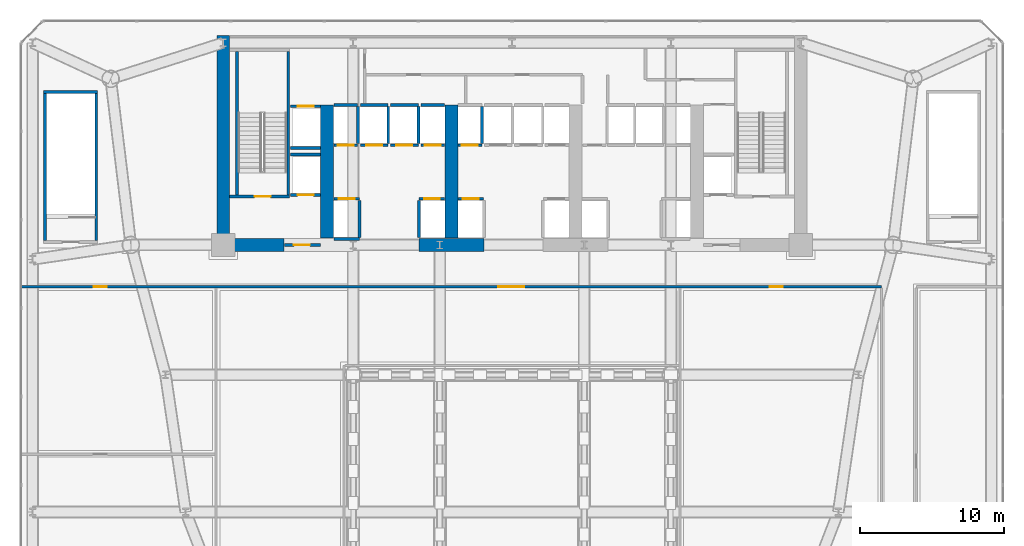
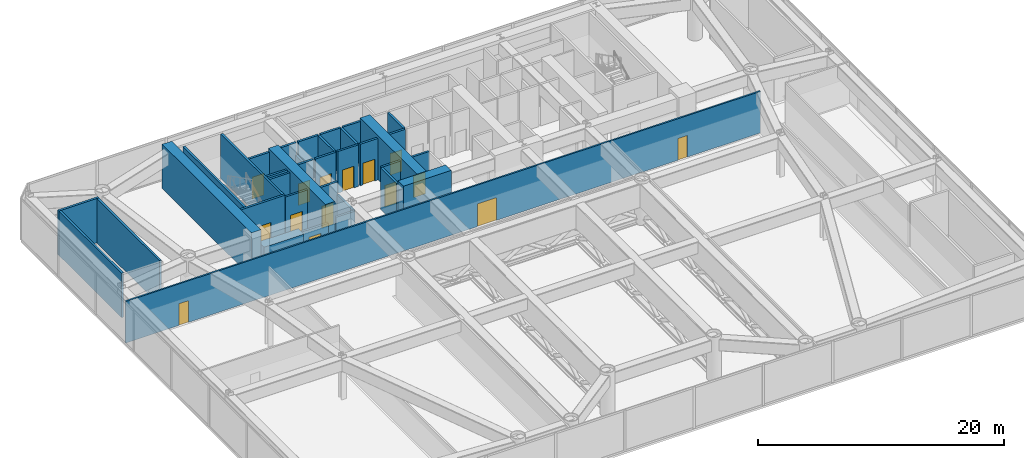
# One storey, part 15 of 21: 36 walls, 15 doors, 15 openings.
"""IFC4 building model written with IfcOpenShell, lengths in metres."""

from ifc_helpers import new_model, si_unit, direction, frame, frame_2d, origin, place, context, subcontext, project, spatial, rectangle, extrude, source, transform, mapped, material, layer, layer_set, type_object, element, fill, save


model = new_model("IFC4")

# Units and contexts
model_context = context("Model", 3, precision=1e-05, world=origin(), true_north=direction((0.0, 1.0)))
body_context = subcontext(model_context, "Body", "Model", "MODEL_VIEW")
ifc_project = project(units=[si_unit("LENGTHUNIT", "METRE"), si_unit("AREAUNIT", "SQUARE_METRE"), si_unit("VOLUMEUNIT", "CUBIC_METRE"), si_unit("PLANEANGLEUNIT", "RADIAN"), si_unit("MASSUNIT", "GRAM", prefix="KILO")], contexts=[model_context])

# Site, building, storey
site_placement = place(None, origin())
site = spatial("IfcSite", under=ifc_project, at=site_placement, CompositionType="ELEMENT")
building_placement = place(site_placement, origin())
building = spatial("IfcBuilding", under=site, at=building_placement, Name="Vaeldorn Concourse Tower", CompositionType="ELEMENT")
storey_placement = place(building_placement, frame((0.0, 0.0, 14.39990234375)))
storey = spatial("IfcBuildingStorey", under=building, at=storey_placement, Name="L03", CompositionType="ELEMENT", Elevation=14.39990234375)

# Walls
ifc_material_1 = material(Name="Concrete C60/75", Category="concrete")
ifc_layer_1 = layer(ifc_material_1, 0.89990234375)
ifc_layer_set_1 = layer_set([ifc_layer_1], Name="Concrete C60/75")
wall_type_1 = type_object("IfcWallType", Name="WL-CORE-900", PredefinedType="SHEAR", material=ifc_layer_set_1)
wall_1_placement = place(storey_placement, frame((14.0, 36.5, 0.0), z_axis=(0.0, 0.0, 1.0), x_axis=(0.0, 1.0, 0.0)))
element("IfcWall", 1, at=wall_1_placement, inside=storey, type_object=wall_type_1, Name="Rear Core Shear Wall L03 W1", PredefinedType="SHEAR", context=body_context, shape_type="SweptSolid", body=[
    extrude(rectangle(XDim=14.5, YDim=0.89990234375, at=frame_2d((7.25, 0.0))), origin(), (0.0, 0.0, 1.0), 4.400146484375),
])
wall_2_placement = place(storey_placement, frame((14.469970703125, 36.5, 0.0), z_axis=(0.0, 0.0, 1.0), x_axis=(1.0, 0.0, 0.0)))
element("IfcWall", 2, at=wall_2_placement, inside=storey, type_object=wall_type_1, Name="Rear Core Shear Wall L03 S1", PredefinedType="SHEAR", context=body_context, shape_type="SweptSolid", body=[
    extrude(rectangle(XDim=3.72998046875, YDim=0.89990234375, at=frame_2d((1.864990234375, 0.0))), origin(), (0.0, 0.0, 1.0), 2.920166015625),
])
wall_3_placement = place(storey_placement, frame((27.550048828125, 36.5, 0.0), z_axis=(0.0, 0.0, 1.0), x_axis=(1.0, 0.0, 0.0)))
element("IfcWall", 3, at=wall_3_placement, inside=storey, type_object=wall_type_1, Name="Rear Core Shear Wall L03 S2", PredefinedType="SHEAR", context=body_context, shape_type="SweptSolid", body=[
    extrude(rectangle(XDim=4.5, YDim=0.89990234375, at=frame_2d((2.25, 0.0))), origin(), (0.0, 0.0, 1.0), 4.400146484375),
])
for number, where, z_axis, x_axis, name in (
    (4, (21.199951171875, 36.969970703125, 0.0), (0.0, 0.0, 1.0), (0.0, 1.0, 0.0), "Rear Core Shear Wall L03 M1"),
    (5, (29.800048828125, 36.969970703125, 0.0), (0.0, 0.0, 1.0), (0.0, 1.0, 0.0), "Rear Core Shear Wall L03 M2"),
):
    element("IfcWall", number, at=place(storey_placement, frame(where, z_axis=z_axis, x_axis=x_axis)), inside=storey, type_object=wall_type_1, Name=name, PredefinedType="SHEAR", context=body_context, shape_type="SweptSolid", body=[
        extrude(rectangle(XDim=9.22998046875, YDim=0.89990234375, at=frame_2d((4.614990234375, 0.0))), origin(), (0.0, 0.0, 1.0), 4.400146484375),
    ])

# Wall, openings, doors
ifc_material_2 = material(Name="Gypsum Board Partition", Category="gypsum")
ifc_layer_2 = layer(ifc_material_2, 0.14990234375)
ifc_layer_set_2 = layer_set([ifc_layer_2], Name="Gypsum Board Partition")
wall_type_2 = type_object("IfcWallType", Name="WL-PART-150", PredefinedType="PARTITIONING", material=ifc_layer_set_2)
wall_4_placement = place(storey_placement, frame((0.0400390625, 33.60009765625, 0.0), z_axis=(0.0, 0.0, 1.0), x_axis=(1.0, 0.0, 0.0)))
wall_4 = element("IfcWall", 6, at=wall_4_placement, inside=storey, type_object=wall_type_2, Name="Interior Wall PW-L03-COR", PredefinedType="PARTITIONING", context=body_context, shape_type="SweptSolid", body=[
    extrude(rectangle(XDim=59.56005859375, YDim=0.14990234375, at=frame_2d((29.780029296875, 0.0))), origin(), (0.0, 0.0, 1.0), 4.1201171875),
])
opening_1_placement = place(wall_4_placement, frame((5.0, 0.0, 0.0)))
opening_1 = element("IfcOpeningElement", 7, at=opening_1_placement, cuts=wall_4, Name="Opening D-03", PredefinedType="OPENING", context=body_context, shape_type="SweptSolid", body=[
    extrude(rectangle(XDim=0.89990234375, YDim=2.14990234375, at=frame_2d((0.449951171875, 1.074951171875))), frame((0.0, 0.0849609375, 0.0), z_axis=(0.0, -1.0, 0.0), x_axis=(1.0, 0.0, 0.0)), (0.0, 0.0, 1.0), 0.169921875),
])
opening_2_placement = place(wall_4_placement, frame((33.0, 0.0, 0.0)))
opening_2 = element("IfcOpeningElement", 8, at=opening_2_placement, cuts=wall_4, Name="Opening D-05", PredefinedType="OPENING", context=body_context, shape_type="SweptSolid", body=[
    extrude(rectangle(XDim=1.800048828125, YDim=2.25, at=frame_2d((0.89990234375, 1.125))), frame((0.0, 0.0849609375, 0.0), z_axis=(0.0, -1.0, 0.0), x_axis=(1.0, 0.0, 0.0)), (0.0, 0.0, 1.0), 0.169921875),
])
opening_3_placement = place(wall_4_placement, frame((51.800048828125, 0.0, 0.0)))
opening_3 = element("IfcOpeningElement", 9, at=opening_3_placement, cuts=wall_4, Name="Opening D-03", PredefinedType="OPENING", context=body_context, shape_type="SweptSolid", body=[
    extrude(rectangle(XDim=0.89990234375, YDim=2.14990234375, at=frame_2d((0.449951171875, 1.074951171875))), frame((0.0, 0.0849609375, 0.0), z_axis=(0.0, -1.0, 0.0), x_axis=(1.0, 0.0, 0.0)), (0.0, 0.0, 1.0), 0.169921875),
])
ifc_material_3 = material(Name="Acoustic Bronze-Framed Glass Door", Category="glass")
door_type_1 = type_object("IfcDoorType", Name="DR-INT-900", OperationType="NOTDEFINED", PredefinedType="DOOR", material=ifc_material_3)
shared_shape_1 = source(origin(), body_context, "Body", "SweptSolid", [
    extrude(rectangle(XDim=0.89990234375, YDim=2.14990234375, at=frame_2d((0.449951171875, 1.074951171875))), frame((0.0, 0.02490234375, 0.0), z_axis=(0.0, -1.0, 0.0), x_axis=(1.0, 0.0, 0.0)), (0.0, 0.0, 1.0), 0.050048828125),
])
door_1_placement = place(opening_1_placement, origin())
door_1 = element("IfcDoor", 10, at=door_1_placement, inside=storey, type_object=door_type_1, Name="Interior Door DR-L03-SRV", OperationType="SINGLE_SWING_LEFT", OverallHeight=2.14990234375, OverallWidth=0.89990234375, PredefinedType="DOOR", context=body_context, shape_type="MappedRepresentation", body=[
    mapped(shared_shape_1, transform((0.0, 0.0, 0.0), scale=1.0)),
])
fill(opening_1, door_1)
door_2_placement = place(opening_3_placement, origin())
door_2 = element("IfcDoor", 11, at=door_2_placement, inside=storey, type_object=door_type_1, Name="Interior Door DR-L03-PRIV", OperationType="SINGLE_SWING_RIGHT", OverallHeight=2.14990234375, OverallWidth=0.89990234375, PredefinedType="DOOR", context=body_context, shape_type="MappedRepresentation", body=[
    mapped(shared_shape_1, transform((0.0, 0.0, 0.0), scale=1.0)),
])
fill(opening_3, door_2)
door_type_2 = type_object("IfcDoorType", Name="DR-DBL-1800", OperationType="DOUBLE_DOOR_SINGLE_SWING", PredefinedType="DOOR", material=ifc_material_3)
shared_shape_2 = source(origin(), body_context, "Body", "SweptSolid", [
    extrude(rectangle(XDim=1.800048828125, YDim=2.25, at=frame_2d((0.89990234375, 1.125))), frame((0.0, 0.02490234375, 0.0), z_axis=(0.0, -1.0, 0.0), x_axis=(1.0, 0.0, 0.0)), (0.0, 0.0, 1.0), 0.050048828125),
])
door_3_placement = place(opening_2_placement, origin())
door_3 = element("IfcDoor", 12, at=door_3_placement, inside=storey, type_object=door_type_2, Name="Interior Door DR-L03-REST", OperationType="DOUBLE_DOOR_SINGLE_SWING", OverallHeight=2.25, OverallWidth=1.800048828125, PredefinedType="DOOR", context=body_context, shape_type="MappedRepresentation", body=[
    mapped(shared_shape_2, transform((0.0, 0.0, 0.0), scale=1.0)),
])
fill(opening_2, door_3)

# Wall, opening, door
ifc_material_4 = material(Name="Concrete C50/60", Category="concrete")
ifc_layer_3 = layer(ifc_material_4, 0.199951171875)
ifc_layer_set_3 = layer_set([ifc_layer_3], Name="Concrete C50/60")
wall_type_3 = type_object("IfcWallType", Name="WL-SHAFT-200", PredefinedType="SOLIDWALL", material=ifc_layer_set_3)
wall_5_placement = place(storey_placement, frame((14.449951171875, 39.85009765625, 0.0), z_axis=(0.0, 0.0, 1.0), x_axis=(1.0, 0.0, 0.0)))
wall_5 = element("IfcWall", 13, at=wall_5_placement, inside=storey, type_object=wall_type_3, Name="Stair Shaft Wall CW-L03-ST-1-S", PredefinedType="SOLIDWALL", context=body_context, shape_type="SweptSolid", body=[
    extrude(rectangle(XDim=4.150146484375, YDim=0.199951171875, at=frame_2d((2.0751953125, 0.0))), origin(), (0.0, 0.0, 1.0), 4.400146484375),
])
opening_4_placement = place(wall_5_placement, frame((1.72509765625, 0.0, 0.0)))
opening_4 = element("IfcOpeningElement", 14, at=opening_4_placement, cuts=wall_5, Name="Opening D-01", PredefinedType="OPENING", context=body_context, shape_type="SweptSolid", body=[
    extrude(rectangle(XDim=1.10009765625, YDim=2.14990234375, at=frame_2d((0.550048828125, 1.074951171875))), frame((0.0, 0.10986328125, 0.0), z_axis=(0.0, -1.0, 0.0), x_axis=(1.0, 0.0, 0.0)), (0.0, 0.0, 1.0), 0.219970703125),
])
ifc_material_5 = material(Name="Fire-Rated Timber and Steel Leaf", Category="steel")
door_type_3 = type_object("IfcDoorType", Name="DR-FD60-1100", OperationType="NOTDEFINED", PredefinedType="DOOR", material=ifc_material_5)
shared_shape_3 = source(origin(), body_context, "Body", "SweptSolid", [
    extrude(rectangle(XDim=1.10009765625, YDim=2.14990234375, at=frame_2d((0.550048828125, 1.074951171875))), frame((0.0, 0.02490234375, 0.0), z_axis=(0.0, -1.0, 0.0), x_axis=(1.0, 0.0, 0.0)), (0.0, 0.0, 1.0), 0.050048828125),
])
door_4_placement = place(opening_4_placement, origin())
door_4 = element("IfcDoor", 15, at=door_4_placement, inside=storey, type_object=door_type_3, Name="Interior Door DR-L03-ST-1", OperationType="SINGLE_SWING_LEFT", OverallHeight=2.14990234375, OverallWidth=1.10009765625, PredefinedType="DOOR", context=body_context, shape_type="MappedRepresentation", body=[
    mapped(shared_shape_3, transform((0.0, 0.0, 0.0), scale=1.0)),
])
fill(opening_4, door_4)

# Walls
for number, where, z_axis, x_axis, name in (
    (16, (14.949951171875, 39.9599609375, 0.0), (0.0, 0.0, 1.0), (0.0, 1.0, 0.0), "Stair Shaft Wall CW-L03-ST-1-W"),
    (17, (18.5, 39.9599609375, 0.0), (0.0, 0.0, 1.0), (0.0, 1.0, 0.0), "Stair Shaft Wall CW-L03-ST-1-E"),
):
    element("IfcWall", number, at=place(storey_placement, frame(where, z_axis=z_axis, x_axis=x_axis)), inside=storey, type_object=wall_type_3, Name=name, PredefinedType="SOLIDWALL", context=body_context, shape_type="SweptSolid", body=[
        extrude(rectangle(XDim=9.929931640625, YDim=0.199951171875, at=frame_2d((4.96484375, 0.0))), origin(), (0.0, 0.0, 1.0), 4.400146484375),
    ])

# Wall, opening, door
wall_6_placement = place(storey_placement, frame((18.25, 36.5, 0.0), z_axis=(0.0, 0.0, 1.0), x_axis=(1.0, 0.0, 0.0)))
wall_6 = element("IfcWall", 18, at=wall_6_placement, inside=storey, type_object=wall_type_3, Name="Interior Wall CW-L03-FF1S", PredefinedType="SOLIDWALL", context=body_context, shape_type="SweptSolid", body=[
    extrude(rectangle(XDim=2.469970703125, YDim=0.199951171875, at=frame_2d((1.23486328125, 0.0))), origin(), (0.0, 0.0, 1.0), 2.91015625),
])
opening_5_placement = place(wall_6_placement, frame((0.64990234375, 0.0, 0.0)))
opening_5 = element("IfcOpeningElement", 19, at=opening_5_placement, cuts=wall_6, Name="Opening D-01", PredefinedType="OPENING", context=body_context, shape_type="SweptSolid", body=[
    extrude(rectangle(XDim=1.10009765625, YDim=2.14990234375, at=frame_2d((0.550048828125, 1.074951171875))), frame((0.0, 0.10986328125, 0.0), z_axis=(0.0, -1.0, 0.0), x_axis=(1.0, 0.0, 0.0)), (0.0, 0.0, 1.0), 0.219970703125),
])
door_5_placement = place(opening_5_placement, origin())
door_5 = element("IfcDoor", 20, at=door_5_placement, inside=storey, type_object=door_type_3, Name="Interior Door DR-L03-FF1E", OperationType="SINGLE_SWING_RIGHT", OverallHeight=2.14990234375, OverallWidth=1.10009765625, PredefinedType="DOOR", context=body_context, shape_type="MappedRepresentation", body=[
    mapped(shared_shape_3, transform((0.0, 0.0, 0.0), scale=1.0)),
])
fill(opening_5, door_5)

wall_7_placement = place(storey_placement, frame((21.659912109375, 39.699951171875, 0.0), z_axis=(0.0, 0.0, 1.0), x_axis=(1.0, 0.0, 0.0)))
wall_7 = element("IfcWall", 21, at=wall_7_placement, inside=storey, type_object=wall_type_3, Name="Interior Wall CW-L03-LF-LF-01", PredefinedType="SOLIDWALL", context=body_context, shape_type="SweptSolid", body=[
    extrude(rectangle(XDim=1.77001953125, YDim=0.199951171875, at=frame_2d((0.885009765625, 0.0))), origin(), (0.0, 0.0, 1.0), 4.1201171875),
])
opening_6_placement = place(wall_7_placement, frame((0.3349609375, 0.0, 0.0)))
opening_6 = element("IfcOpeningElement", 22, at=opening_6_placement, cuts=wall_7, Name="Opening LD-1", PredefinedType="OPENING", context=body_context, shape_type="SweptSolid", body=[
    extrude(rectangle(XDim=1.10009765625, YDim=2.14990234375, at=frame_2d((0.550048828125, 1.074951171875))), frame((0.0, 0.10986328125, 0.0), z_axis=(0.0, -1.0, 0.0), x_axis=(1.0, 0.0, 0.0)), (0.0, 0.0, 1.0), 0.219970703125),
])
ifc_material_6 = material(Name="Anodised Bronze Aluminium", Category="aluminium")
door_type_4 = type_object("IfcDoorType", Name="DR-LIFT-SLIDE-1100", OperationType="DOUBLE_DOOR_SLIDING", PredefinedType="DOOR", material=ifc_material_6)
door_6_placement = place(opening_6_placement, origin())
door_6 = element("IfcDoor", 23, at=door_6_placement, inside=storey, type_object=door_type_4, Name="Lift Landing Door LD-L03-LF-01", OperationType="DOUBLE_DOOR_SLIDING", OverallHeight=2.14990234375, OverallWidth=1.10009765625, PredefinedType="DOOR", context=body_context, shape_type="MappedRepresentation", body=[
    mapped(shared_shape_3, transform((0.0, 0.0, 0.0), scale=1.0)),
])
fill(opening_6, door_6)

# Walls
wall_8_placement = place(storey_placement, frame((21.659912109375, 36.89990234375, 0.0), z_axis=(0.0, 0.0, 1.0), x_axis=(1.0, 0.0, 0.0)))
element("IfcWall", 24, at=wall_8_placement, inside=storey, type_object=wall_type_3, Name="Interior Wall CW-L03-LFB-LF-01", PredefinedType="SOLIDWALL", context=body_context, shape_type="SweptSolid", body=[
    extrude(rectangle(XDim=1.77001953125, YDim=0.199951171875, at=frame_2d((0.885009765625, 0.0))), origin(), (0.0, 0.0, 1.0), 2.91015625),
])
wall_9_placement = place(storey_placement, frame((23.449951171875, 37.02001953125, 0.0), z_axis=(0.0, 0.0, 1.0), x_axis=(0.0, 1.0, 0.0)))
element("IfcWall", 25, at=wall_9_placement, inside=storey, type_object=wall_type_3, Name="Interior Wall CW-L03-LFE-LF-01", PredefinedType="SOLIDWALL", context=body_context, shape_type="SweptSolid", body=[
    extrude(rectangle(XDim=2.56005859375, YDim=0.199951171875, at=frame_2d((1.280029296875, 0.0))), origin(), (0.0, 0.0, 1.0), 2.91015625),
])

# Wall, opening, door
wall_10_placement = place(storey_placement, frame((27.570068359375, 39.699951171875, 0.0), z_axis=(0.0, 0.0, 1.0), x_axis=(1.0, 0.0, 0.0)))
wall_10 = element("IfcWall", 26, at=wall_10_placement, inside=storey, type_object=wall_type_3, Name="Interior Wall CW-L03-LF-LF-02", PredefinedType="SOLIDWALL", context=body_context, shape_type="SweptSolid", body=[
    extrude(rectangle(XDim=1.77001953125, YDim=0.199951171875, at=frame_2d((0.885009765625, 0.0))), origin(), (0.0, 0.0, 1.0), 4.1201171875),
])
opening_7_placement = place(wall_10_placement, frame((0.3349609375, 0.0, 0.0)))
opening_7 = element("IfcOpeningElement", 27, at=opening_7_placement, cuts=wall_10, Name="Opening LD-1", PredefinedType="OPENING", context=body_context, shape_type="SweptSolid", body=[
    extrude(rectangle(XDim=1.10009765625, YDim=2.14990234375, at=frame_2d((0.550048828125, 1.074951171875))), frame((0.0, 0.10986328125, 0.0), z_axis=(0.0, -1.0, 0.0), x_axis=(1.0, 0.0, 0.0)), (0.0, 0.0, 1.0), 0.219970703125),
])
door_7_placement = place(opening_7_placement, origin())
door_7 = element("IfcDoor", 28, at=door_7_placement, inside=storey, type_object=door_type_4, Name="Lift Landing Door LD-L03-LF-02", OperationType="DOUBLE_DOOR_SLIDING", OverallHeight=2.14990234375, OverallWidth=1.10009765625, PredefinedType="DOOR", context=body_context, shape_type="MappedRepresentation", body=[
    mapped(shared_shape_3, transform((0.0, 0.0, 0.0), scale=1.0)),
])
fill(opening_7, door_7)

# Wall
wall_11_placement = place(storey_placement, frame((27.550048828125, 37.02001953125, 0.0), z_axis=(0.0, 0.0, 1.0), x_axis=(0.0, 1.0, 0.0)))
element("IfcWall", 29, at=wall_11_placement, inside=storey, type_object=wall_type_3, Name="Interior Wall CW-L03-LFW-LF-02", PredefinedType="SOLIDWALL", context=body_context, shape_type="SweptSolid", body=[
    extrude(rectangle(XDim=2.56005859375, YDim=0.199951171875, at=frame_2d((1.280029296875, 0.0))), origin(), (0.0, 0.0, 1.0), 4.1201171875),
])

# Wall, opening, door
wall_12_placement = place(storey_placement, frame((21.659912109375, 43.39990234375, 0.0), z_axis=(0.0, 0.0, 1.0), x_axis=(1.0, 0.0, 0.0)))
wall_12 = element("IfcWall", 30, at=wall_12_placement, inside=storey, type_object=wall_type_3, Name="Interior Wall CW-L03-LF-LF-03", PredefinedType="SOLIDWALL", context=body_context, shape_type="SweptSolid", body=[
    extrude(rectangle(XDim=1.650146484375, YDim=0.199951171875, at=frame_2d((0.8251953125, 0.0))), origin(), (0.0, 0.0, 1.0), 4.1201171875),
])
opening_8_placement = place(wall_12_placement, frame((0.27490234375, 0.0, 0.0)))
opening_8 = element("IfcOpeningElement", 31, at=opening_8_placement, cuts=wall_12, Name="Opening LD-1", PredefinedType="OPENING", context=body_context, shape_type="SweptSolid", body=[
    extrude(rectangle(XDim=1.10009765625, YDim=2.14990234375, at=frame_2d((0.550048828125, 1.074951171875))), frame((0.0, 0.10986328125, 0.0), z_axis=(0.0, -1.0, 0.0), x_axis=(1.0, 0.0, 0.0)), (0.0, 0.0, 1.0), 0.219970703125),
])
door_8_placement = place(opening_8_placement, origin())
door_8 = element("IfcDoor", 32, at=door_8_placement, inside=storey, type_object=door_type_4, Name="Lift Landing Door LD-L03-LF-03", OperationType="DOUBLE_DOOR_SLIDING", OverallHeight=2.14990234375, OverallWidth=1.10009765625, PredefinedType="DOOR", context=body_context, shape_type="MappedRepresentation", body=[
    mapped(shared_shape_3, transform((0.0, 0.0, 0.0), scale=1.0)),
])
fill(opening_8, door_8)

# Walls
wall_13_placement = place(storey_placement, frame((21.659912109375, 46.199951171875, 0.0), z_axis=(0.0, 0.0, 1.0), x_axis=(1.0, 0.0, 0.0)))
element("IfcWall", 33, at=wall_13_placement, inside=storey, type_object=wall_type_3, Name="Interior Wall CW-L03-LFB-LF-03", PredefinedType="SOLIDWALL", context=body_context, shape_type="SweptSolid", body=[
    extrude(rectangle(XDim=1.650146484375, YDim=0.199951171875, at=frame_2d((0.8251953125, 0.0))), origin(), (0.0, 0.0, 1.0), 4.1201171875),
])
wall_14_placement = place(storey_placement, frame((23.330078125, 43.52001953125, 0.0), z_axis=(0.0, 0.0, 1.0), x_axis=(0.0, 1.0, 0.0)))
element("IfcWall", 34, at=wall_14_placement, inside=storey, type_object=wall_type_3, Name="Interior Wall CW-L03-LFE-LF-03", PredefinedType="SOLIDWALL", context=body_context, shape_type="SweptSolid", body=[
    extrude(rectangle(XDim=2.56005859375, YDim=0.199951171875, at=frame_2d((1.280029296875, 0.0))), origin(), (0.0, 0.0, 1.0), 2.91015625),
])

# Wall, opening, door
wall_15_placement = place(storey_placement, frame((23.489990234375, 43.39990234375, 0.0), z_axis=(0.0, 0.0, 1.0), x_axis=(1.0, 0.0, 0.0)))
wall_15 = element("IfcWall", 35, at=wall_15_placement, inside=storey, type_object=wall_type_3, Name="Interior Wall CW-L03-LF-LF-04", PredefinedType="SOLIDWALL", context=body_context, shape_type="SweptSolid", body=[
    extrude(rectangle(XDim=1.919921875, YDim=0.199951171875, at=frame_2d((0.9599609375, 0.0))), origin(), (0.0, 0.0, 1.0), 4.1201171875),
])
opening_9_placement = place(wall_15_placement, frame((0.409912109375, 0.0, 0.0)))
opening_9 = element("IfcOpeningElement", 36, at=opening_9_placement, cuts=wall_15, Name="Opening LD-1", PredefinedType="OPENING", context=body_context, shape_type="SweptSolid", body=[
    extrude(rectangle(XDim=1.10009765625, YDim=2.14990234375, at=frame_2d((0.550048828125, 1.074951171875))), frame((0.0, 0.10986328125, 0.0), z_axis=(0.0, -1.0, 0.0), x_axis=(1.0, 0.0, 0.0)), (0.0, 0.0, 1.0), 0.219970703125),
])
door_9_placement = place(opening_9_placement, origin())
door_9 = element("IfcDoor", 37, at=door_9_placement, inside=storey, type_object=door_type_4, Name="Lift Landing Door LD-L03-LF-04", OperationType="DOUBLE_DOOR_SLIDING", OverallHeight=2.14990234375, OverallWidth=1.10009765625, PredefinedType="DOOR", context=body_context, shape_type="MappedRepresentation", body=[
    mapped(shared_shape_3, transform((0.0, 0.0, 0.0), scale=1.0)),
])
fill(opening_9, door_9)

# Walls
wall_16_placement = place(storey_placement, frame((23.489990234375, 46.199951171875, 0.0), z_axis=(0.0, 0.0, 1.0), x_axis=(1.0, 0.0, 0.0)))
element("IfcWall", 38, at=wall_16_placement, inside=storey, type_object=wall_type_3, Name="Interior Wall CW-L03-LFB-LF-04", PredefinedType="SOLIDWALL", context=body_context, shape_type="SweptSolid", body=[
    extrude(rectangle(XDim=1.919921875, YDim=0.199951171875, at=frame_2d((0.9599609375, 0.0))), origin(), (0.0, 0.0, 1.0), 4.1201171875),
])
wall_17_placement = place(storey_placement, frame((25.429931640625, 43.52001953125, 0.0), z_axis=(0.0, 0.0, 1.0), x_axis=(0.0, 1.0, 0.0)))
element("IfcWall", 39, at=wall_17_placement, inside=storey, type_object=wall_type_3, Name="Interior Wall CW-L03-LFE-LF-04", PredefinedType="SOLIDWALL", context=body_context, shape_type="SweptSolid", body=[
    extrude(rectangle(XDim=2.56005859375, YDim=0.199951171875, at=frame_2d((1.280029296875, 0.0))), origin(), (0.0, 0.0, 1.0), 4.1201171875),
])

# Wall, opening, door
wall_18_placement = place(storey_placement, frame((25.590087890625, 43.39990234375, 0.0), z_axis=(0.0, 0.0, 1.0), x_axis=(1.0, 0.0, 0.0)))
wall_18 = element("IfcWall", 40, at=wall_18_placement, inside=storey, type_object=wall_type_3, Name="Interior Wall CW-L03-LF-LF-05", PredefinedType="SOLIDWALL", context=body_context, shape_type="SweptSolid", body=[
    extrude(rectangle(XDim=1.919921875, YDim=0.199951171875, at=frame_2d((0.9599609375, 0.0))), origin(), (0.0, 0.0, 1.0), 4.1201171875),
])
opening_10_placement = place(wall_18_placement, frame((0.409912109375, 0.0, 0.0)))
opening_10 = element("IfcOpeningElement", 41, at=opening_10_placement, cuts=wall_18, Name="Opening LD-1", PredefinedType="OPENING", context=body_context, shape_type="SweptSolid", body=[
    extrude(rectangle(XDim=1.10009765625, YDim=2.14990234375, at=frame_2d((0.550048828125, 1.074951171875))), frame((0.0, 0.10986328125, 0.0), z_axis=(0.0, -1.0, 0.0), x_axis=(1.0, 0.0, 0.0)), (0.0, 0.0, 1.0), 0.219970703125),
])
door_10_placement = place(opening_10_placement, origin())
door_10 = element("IfcDoor", 42, at=door_10_placement, inside=storey, type_object=door_type_4, Name="Lift Landing Door LD-L03-LF-05", OperationType="DOUBLE_DOOR_SLIDING", OverallHeight=2.14990234375, OverallWidth=1.10009765625, PredefinedType="DOOR", context=body_context, shape_type="MappedRepresentation", body=[
    mapped(shared_shape_3, transform((0.0, 0.0, 0.0), scale=1.0)),
])
fill(opening_10, door_10)

# Walls
wall_19_placement = place(storey_placement, frame((25.590087890625, 46.199951171875, 0.0), z_axis=(0.0, 0.0, 1.0), x_axis=(1.0, 0.0, 0.0)))
element("IfcWall", 43, at=wall_19_placement, inside=storey, type_object=wall_type_3, Name="Interior Wall CW-L03-LFB-LF-05", PredefinedType="SOLIDWALL", context=body_context, shape_type="SweptSolid", body=[
    extrude(rectangle(XDim=1.919921875, YDim=0.199951171875, at=frame_2d((0.9599609375, 0.0))), origin(), (0.0, 0.0, 1.0), 4.1201171875),
])
wall_20_placement = place(storey_placement, frame((27.530029296875, 43.52001953125, 0.0), z_axis=(0.0, 0.0, 1.0), x_axis=(0.0, 1.0, 0.0)))
element("IfcWall", 44, at=wall_20_placement, inside=storey, type_object=wall_type_3, Name="Interior Wall CW-L03-LFE-LF-05", PredefinedType="SOLIDWALL", context=body_context, shape_type="SweptSolid", body=[
    extrude(rectangle(XDim=2.56005859375, YDim=0.199951171875, at=frame_2d((1.280029296875, 0.0))), origin(), (0.0, 0.0, 1.0), 4.1201171875),
])

# Wall, opening, door
wall_21_placement = place(storey_placement, frame((27.68994140625, 43.39990234375, 0.0), z_axis=(0.0, 0.0, 1.0), x_axis=(1.0, 0.0, 0.0)))
wall_21 = element("IfcWall", 45, at=wall_21_placement, inside=storey, type_object=wall_type_3, Name="Interior Wall CW-L03-LF-LF-06", PredefinedType="SOLIDWALL", context=body_context, shape_type="SweptSolid", body=[
    extrude(rectangle(XDim=1.650146484375, YDim=0.199951171875, at=frame_2d((0.8251953125, 0.0))), origin(), (0.0, 0.0, 1.0), 4.1201171875),
])
opening_11_placement = place(wall_21_placement, frame((0.27490234375, 0.0, 0.0)))
opening_11 = element("IfcOpeningElement", 46, at=opening_11_placement, cuts=wall_21, Name="Opening LD-1", PredefinedType="OPENING", context=body_context, shape_type="SweptSolid", body=[
    extrude(rectangle(XDim=1.10009765625, YDim=2.14990234375, at=frame_2d((0.550048828125, 1.074951171875))), frame((0.0, 0.10986328125, 0.0), z_axis=(0.0, -1.0, 0.0), x_axis=(1.0, 0.0, 0.0)), (0.0, 0.0, 1.0), 0.219970703125),
])
door_11_placement = place(opening_11_placement, origin())
door_11 = element("IfcDoor", 47, at=door_11_placement, inside=storey, type_object=door_type_4, Name="Lift Landing Door LD-L03-LF-06", OperationType="DOUBLE_DOOR_SLIDING", OverallHeight=2.14990234375, OverallWidth=1.10009765625, PredefinedType="DOOR", context=body_context, shape_type="MappedRepresentation", body=[
    mapped(shared_shape_3, transform((0.0, 0.0, 0.0), scale=1.0)),
])
fill(opening_11, door_11)

# Wall
wall_22_placement = place(storey_placement, frame((27.68994140625, 46.199951171875, 0.0), z_axis=(0.0, 0.0, 1.0), x_axis=(1.0, 0.0, 0.0)))
element("IfcWall", 48, at=wall_22_placement, inside=storey, type_object=wall_type_3, Name="Interior Wall CW-L03-LFB-LF-06", PredefinedType="SOLIDWALL", context=body_context, shape_type="SweptSolid", body=[
    extrude(rectangle(XDim=1.650146484375, YDim=0.199951171875, at=frame_2d((0.8251953125, 0.0))), origin(), (0.0, 0.0, 1.0), 4.1201171875),
])

# Wall, opening, door
wall_23_placement = place(storey_placement, frame((30.260009765625, 39.699951171875, 0.0), z_axis=(0.0, 0.0, 1.0), x_axis=(1.0, 0.0, 0.0)))
wall_23 = element("IfcWall", 49, at=wall_23_placement, inside=storey, type_object=wall_type_3, Name="Interior Wall CW-L03-LF-LF-07", PredefinedType="SOLIDWALL", context=body_context, shape_type="SweptSolid", body=[
    extrude(rectangle(XDim=1.77001953125, YDim=0.199951171875, at=frame_2d((0.885009765625, 0.0))), origin(), (0.0, 0.0, 1.0), 4.1201171875),
])
opening_12_placement = place(wall_23_placement, frame((0.3349609375, 0.0, 0.0)))
opening_12 = element("IfcOpeningElement", 50, at=opening_12_placement, cuts=wall_23, Name="Opening LD-1", PredefinedType="OPENING", context=body_context, shape_type="SweptSolid", body=[
    extrude(rectangle(XDim=1.10009765625, YDim=2.14990234375, at=frame_2d((0.550048828125, 1.074951171875))), frame((0.0, 0.10986328125, 0.0), z_axis=(0.0, -1.0, 0.0), x_axis=(1.0, 0.0, 0.0)), (0.0, 0.0, 1.0), 0.219970703125),
])
door_12_placement = place(opening_12_placement, origin())
door_12 = element("IfcDoor", 51, at=door_12_placement, inside=storey, type_object=door_type_4, Name="Lift Landing Door LD-L03-LF-07", OperationType="DOUBLE_DOOR_SLIDING", OverallHeight=2.14990234375, OverallWidth=1.10009765625, PredefinedType="DOOR", context=body_context, shape_type="MappedRepresentation", body=[
    mapped(shared_shape_3, transform((0.0, 0.0, 0.0), scale=1.0)),
])
fill(opening_12, door_12)

wall_24_placement = place(storey_placement, frame((30.260009765625, 43.39990234375, 0.0), z_axis=(0.0, 0.0, 1.0), x_axis=(1.0, 0.0, 0.0)))
wall_24 = element("IfcWall", 52, at=wall_24_placement, inside=storey, type_object=wall_type_3, Name="Interior Wall CW-L03-LF-LF-09", PredefinedType="SOLIDWALL", context=body_context, shape_type="SweptSolid", body=[
    extrude(rectangle(XDim=1.64990234375, YDim=0.199951171875, at=frame_2d((0.824951171875, 0.0))), origin(), (0.0, 0.0, 1.0), 4.1201171875),
])
opening_13_placement = place(wall_24_placement, frame((0.27490234375, 0.0, 0.0)))
opening_13 = element("IfcOpeningElement", 53, at=opening_13_placement, cuts=wall_24, Name="Opening LD-1", PredefinedType="OPENING", context=body_context, shape_type="SweptSolid", body=[
    extrude(rectangle(XDim=1.10009765625, YDim=2.14990234375, at=frame_2d((0.550048828125, 1.074951171875))), frame((0.0, 0.10986328125, 0.0), z_axis=(0.0, -1.0, 0.0), x_axis=(1.0, 0.0, 0.0)), (0.0, 0.0, 1.0), 0.219970703125),
])
door_13_placement = place(opening_13_placement, origin())
door_13 = element("IfcDoor", 54, at=door_13_placement, inside=storey, type_object=door_type_4, Name="Lift Landing Door LD-L03-LF-09", OperationType="DOUBLE_DOOR_SLIDING", OverallHeight=2.14990234375, OverallWidth=1.10009765625, PredefinedType="DOOR", context=body_context, shape_type="MappedRepresentation", body=[
    mapped(shared_shape_3, transform((0.0, 0.0, 0.0), scale=1.0)),
])
fill(opening_13, door_13)

# Wall
wall_25_placement = place(storey_placement, frame((31.929931640625, 43.52001953125, 0.0), z_axis=(0.0, 0.0, 1.0), x_axis=(0.0, 1.0, 0.0)))
element("IfcWall", 55, at=wall_25_placement, inside=storey, type_object=wall_type_3, Name="Interior Wall CW-L03-LFE-LF-09", PredefinedType="SOLIDWALL", context=body_context, shape_type="SweptSolid", body=[
    extrude(rectangle(XDim=2.56005859375, YDim=0.199951171875, at=frame_2d((1.280029296875, 0.0))), origin(), (0.0, 0.0, 1.0), 4.1201171875),
])

# Wall, opening, door
wall_26_placement = place(storey_placement, frame((18.669921875, 46.10009765625, 0.0), z_axis=(0.0, 0.0, 1.0), x_axis=(1.0, 0.0, 0.0)))
wall_26 = element("IfcWall", 56, at=wall_26_placement, inside=storey, type_object=wall_type_3, Name="Interior Wall CW-L03-LF-LF-SV1", PredefinedType="SOLIDWALL", context=body_context, shape_type="SweptSolid", body=[
    extrude(rectangle(XDim=2.070068359375, YDim=0.199951171875, at=frame_2d((1.03515625, 0.0))), origin(), (0.0, 0.0, 1.0), 4.1201171875),
])
opening_14_placement = place(wall_26_placement, frame((0.485107421875, 0.0, 0.0)))
opening_14 = element("IfcOpeningElement", 57, at=opening_14_placement, cuts=wall_26, Name="Opening LD-1", PredefinedType="OPENING", context=body_context, shape_type="SweptSolid", body=[
    extrude(rectangle(XDim=1.10009765625, YDim=2.14990234375, at=frame_2d((0.550048828125, 1.074951171875))), frame((0.0, 0.10986328125, 0.0), z_axis=(0.0, -1.0, 0.0), x_axis=(1.0, 0.0, 0.0)), (0.0, 0.0, 1.0), 0.219970703125),
])
door_14_placement = place(opening_14_placement, origin())
door_14 = element("IfcDoor", 58, at=door_14_placement, inside=storey, type_object=door_type_4, Name="Lift Landing Door LD-L03-LF-SV1", OperationType="DOUBLE_DOOR_SLIDING", OverallHeight=2.14990234375, OverallWidth=1.10009765625, PredefinedType="DOOR", context=body_context, shape_type="MappedRepresentation", body=[
    mapped(shared_shape_3, transform((0.0, 0.0, 0.0), scale=1.0)),
])
fill(opening_14, door_14)

# Wall
wall_27_placement = place(storey_placement, frame((18.669921875, 43.199951171875, 0.0), z_axis=(0.0, 0.0, 1.0), x_axis=(1.0, 0.0, 0.0)))
element("IfcWall", 59, at=wall_27_placement, inside=storey, type_object=wall_type_3, Name="Interior Wall CW-L03-LFB-LF-SV1", PredefinedType="SOLIDWALL", context=body_context, shape_type="SweptSolid", body=[
    extrude(rectangle(XDim=2.070068359375, YDim=0.199951171875, at=frame_2d((1.03515625, 0.0))), origin(), (0.0, 0.0, 1.0), 4.1201171875),
])

# Wall, opening, door
wall_28_placement = place(storey_placement, frame((18.669921875, 39.949951171875, 0.0), z_axis=(0.0, 0.0, 1.0), x_axis=(1.0, 0.0, 0.0)))
wall_28 = element("IfcWall", 60, at=wall_28_placement, inside=storey, type_object=wall_type_3, Name="Interior Wall CW-L03-LF-LF-FF1", PredefinedType="SOLIDWALL", context=body_context, shape_type="SweptSolid", body=[
    extrude(rectangle(XDim=2.070068359375, YDim=0.199951171875, at=frame_2d((1.03515625, 0.0))), origin(), (0.0, 0.0, 1.0), 4.1201171875),
])
opening_15_placement = place(wall_28_placement, frame((0.485107421875, 0.0, 0.0)))
opening_15 = element("IfcOpeningElement", 61, at=opening_15_placement, cuts=wall_28, Name="Opening LD-1", PredefinedType="OPENING", context=body_context, shape_type="SweptSolid", body=[
    extrude(rectangle(XDim=1.10009765625, YDim=2.14990234375, at=frame_2d((0.550048828125, 1.074951171875))), frame((0.0, 0.10986328125, 0.0), z_axis=(0.0, -1.0, 0.0), x_axis=(1.0, 0.0, 0.0)), (0.0, 0.0, 1.0), 0.219970703125),
])
door_15_placement = place(opening_15_placement, origin())
door_15 = element("IfcDoor", 62, at=door_15_placement, inside=storey, type_object=door_type_4, Name="Lift Landing Door LD-L03-LF-FF1", OperationType="DOUBLE_DOOR_SLIDING", OverallHeight=2.14990234375, OverallWidth=1.10009765625, PredefinedType="DOOR", context=body_context, shape_type="MappedRepresentation", body=[
    mapped(shared_shape_3, transform((0.0, 0.0, 0.0), scale=1.0)),
])
fill(opening_15, door_15)

# Walls
wall_29_placement = place(storey_placement, frame((18.669921875, 42.75, 0.0), z_axis=(0.0, 0.0, 1.0), x_axis=(1.0, 0.0, 0.0)))
element("IfcWall", 63, at=wall_29_placement, inside=storey, type_object=wall_type_3, Name="Interior Wall CW-L03-LFB-LF-FF1", PredefinedType="SOLIDWALL", context=body_context, shape_type="SweptSolid", body=[
    extrude(rectangle(XDim=2.070068359375, YDim=0.199951171875, at=frame_2d((1.03515625, 0.0))), origin(), (0.0, 0.0, 1.0), 4.1201171875),
])
wall_30_placement = place(storey_placement, frame((1.550048828125, 47.10009765625, 0.0), z_axis=(0.0, 0.0, 1.0), x_axis=(1.0, 0.0, 0.0)))
element("IfcWall", 64, at=wall_30_placement, inside=storey, type_object=wall_type_3, Name="Stair Shaft Wall CW-L03-ST-3-N", PredefinedType="SOLIDWALL", context=body_context, shape_type="SweptSolid", body=[
    extrude(rectangle(XDim=3.75, YDim=0.199951171875, at=frame_2d((1.875, 0.0))), origin(), (0.0, 0.0, 1.0), 4.400146484375),
])
for number, where, z_axis, x_axis, name in (
    (65, (1.64990234375, 36.81005859375, 0.0), (0.0, 0.0, 1.0), (0.0, 1.0, 0.0), "Stair Shaft Wall CW-L03-ST-3-W"),
    (66, (5.199951171875, 36.81005859375, 0.0), (0.0, 0.0, 1.0), (0.0, 1.0, 0.0), "Stair Shaft Wall CW-L03-ST-3-E"),
):
    element("IfcWall", number, at=place(storey_placement, frame(where, z_axis=z_axis, x_axis=x_axis)), inside=storey, type_object=wall_type_3, Name=name, PredefinedType="SOLIDWALL", context=body_context, shape_type="SweptSolid", body=[
        extrude(rectangle(XDim=10.179931640625, YDim=0.199951171875, at=frame_2d((5.08984375, 0.0))), origin(), (0.0, 0.0, 1.0), 4.400146484375),
    ])

save(model, "model.ifc")
